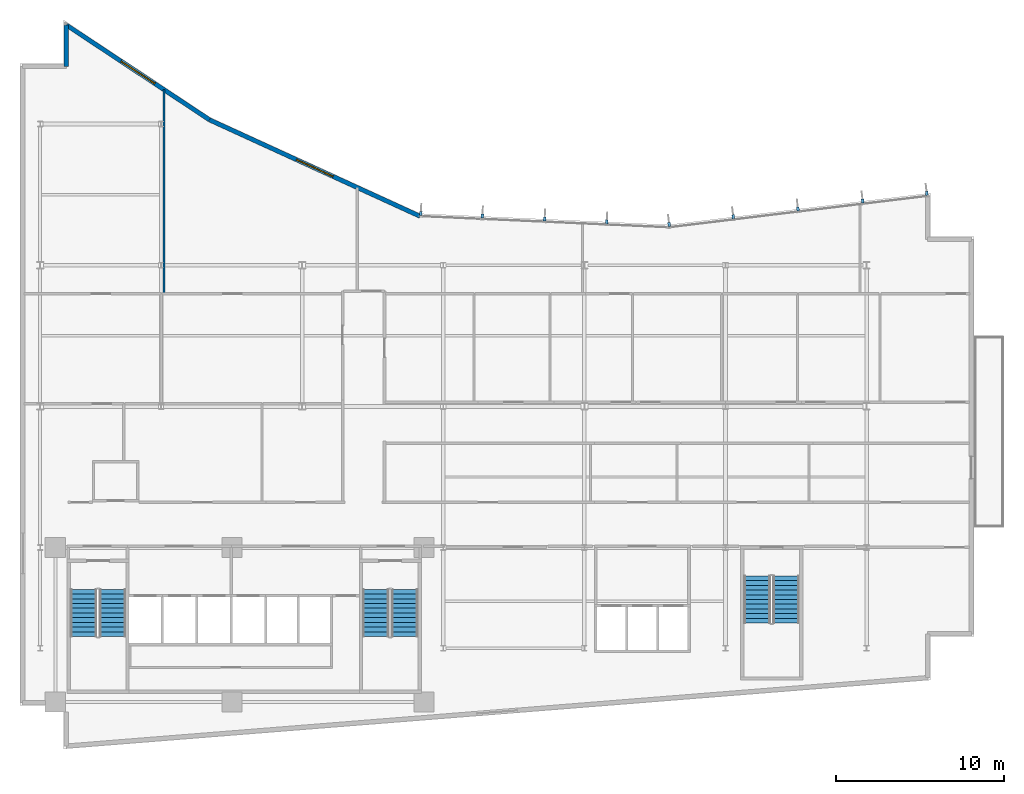
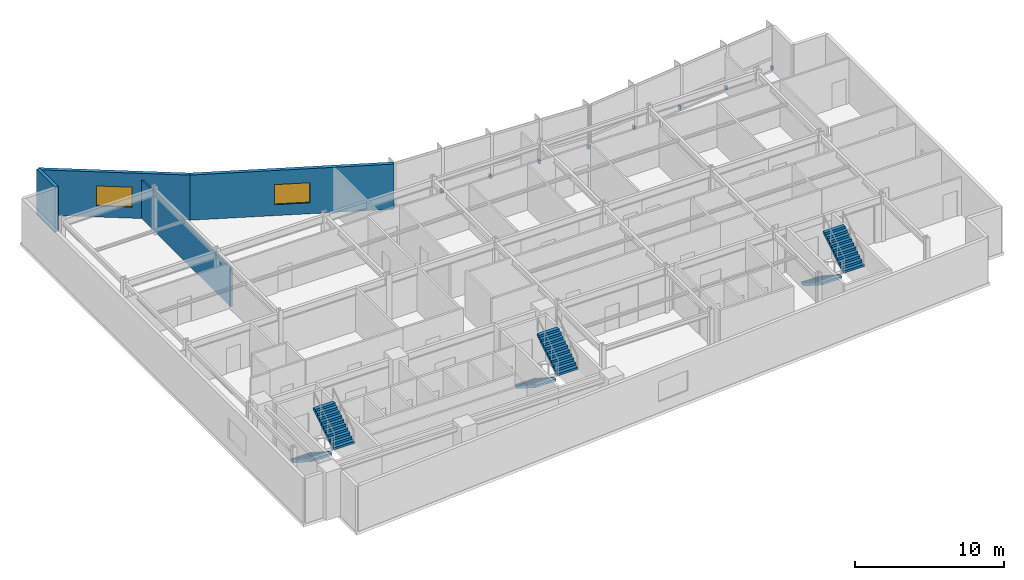
# One storey, part 12 of 17: 9 discrete accessories, 6 stair flights, 4 walls, 2 windows, 2 openings, 3 elements without a shape of their own.
"""IFC4 building model written with IfcOpenShell, lengths in metres."""

from ifc_helpers import new_model, si_unit, direction, frame, frame_2d, origin, origin_2d, place, context, subcontext, project, spatial, polyline, rectangle, outline, extrude, material, layer, layer_set, type_object, element, fill, aggregate, save


model = new_model("IFC4")

# Units and contexts
model_context = context("Model", 3, precision=1e-05, world=origin(), true_north=direction((0.0, 1.0)))
body_context = subcontext(model_context, "Body", "Model", "MODEL_VIEW")
ifc_project = project(units=[si_unit("LENGTHUNIT", "METRE"), si_unit("AREAUNIT", "SQUARE_METRE"), si_unit("VOLUMEUNIT", "CUBIC_METRE"), si_unit("PLANEANGLEUNIT", "RADIAN"), si_unit("MASSUNIT", "GRAM", prefix="KILO")], contexts=[model_context])

# Site, building, storey
site_placement = place(None, origin())
site = spatial("IfcSite", under=ifc_project, at=site_placement, CompositionType="ELEMENT")
building_placement = place(site_placement, origin())
building = spatial("IfcBuilding", under=site, at=building_placement, Name="Varnakote Quay Hospital", CompositionType="ELEMENT")
storey_placement = place(building_placement, frame((0.0, 0.0, 134.949951171875)))
storey = spatial("IfcBuildingStorey", under=building, at=storey_placement, Name="L33", CompositionType="ELEMENT", Elevation=134.949951171875)

# Wall, opening, window
ifc_material_1 = material(Name="Precast concrete N50 (f'c 50 MPa)", Category="concrete")
ifc_layer_1 = layer(ifc_material_1, 0.260009765625)
ifc_layer_set_1 = layer_set([ifc_layer_1], Name="Precast concrete N50 (f'c 50 MPa)")
wall_type_1 = type_object("IfcWallType", Name="WL-EXT-BRICK-260", PredefinedType="STANDARD", material=ifc_layer_set_1)
wall_1_placement = place(storey_placement, frame((23.817626953125, 31.715576171875, 0.0), z_axis=(0.0, 0.0, 1.0), x_axis=(-0.909209527513, 0.416338846471, 0.0)))
wall_1 = element("IfcWall", 1, at=wall_1_placement, inside=storey, type_object=wall_type_1, Name="L33 Brick-Faced Precast Exterior Wall", PredefinedType="STANDARD", context=body_context, shape_type="SweptSolid", body=[
    extrude(rectangle(XDim=13.787353515625, YDim=0.260009765625, at=frame_2d((6.8935546875, 0.0))), origin(), (0.0, 0.0, 1.0), 3.7099609375),
])
opening_1_placement = place(wall_1_placement, frame((5.693603515625, 0.0, 0.89990234375)))
opening_1 = element("IfcOpeningElement", 2, at=opening_1_placement, cuts=wall_1, Name="Opening WN-0143", PredefinedType="OPENING", context=body_context, shape_type="SweptSolid", body=[
    extrude(rectangle(XDim=2.39990234375, YDim=1.64990234375, at=frame_2d((1.199951171875, 0.824951171875))), frame((0.0, 0.139892578125, 0.0), z_axis=(0.0, -1.0, 0.0), x_axis=(1.0, 0.0, 0.0)), (0.0, 0.0, 1.0), 0.280029296875),
])
ifc_material_2 = material(Name="Double-glazed low-E solar glass", Category="glass")
window_type = type_object("IfcWindowType", Name="WIN-CLIN-2400x1650", PartitioningType="SINGLE_PANEL", PredefinedType="WINDOW", material=ifc_material_2)
window_1_placement = place(opening_1_placement, origin())
window_1 = element("IfcWindow", 3, at=window_1_placement, inside=storey, type_object=window_type, Name="L33 Solar-Control Clinical Window", OverallHeight=1.64990234375, OverallWidth=2.39990234375, PartitioningType="SINGLE_PANEL", PredefinedType="WINDOW", context=body_context, shape_type="SweptSolid", body=[
    extrude(rectangle(XDim=2.39990234375, YDim=1.64990234375, at=frame_2d((1.199951171875, 0.824951171875))), frame((0.0, 0.030029296875, 0.0), z_axis=(0.0, -1.0, 0.0), x_axis=(1.0, 0.0, 0.0)), (0.0, 0.0, 1.0), 0.06005859375),
])
fill(opening_1, window_1)

wall_2_placement = place(storey_placement, frame((11.281982421875, 37.455810546875, 0.0), z_axis=(0.0, 0.0, 1.0), x_axis=(-0.833630474253, 0.552322580017, 0.0)))
wall_2 = element("IfcWall", 4, at=wall_2_placement, inside=storey, type_object=wall_type_1, Name="L33 Brick-Faced Precast Exterior Wall", PredefinedType="STANDARD", context=body_context, shape_type="SweptSolid", body=[
    extrude(rectangle(XDim=10.22265625, YDim=0.260009765625, at=frame_2d((5.111328125, 0.0))), origin(), (0.0, 0.0, 1.0), 3.7099609375),
])
opening_2_placement = place(wall_2_placement, frame((3.911376953125, 0.0, 0.89990234375)))
opening_2 = element("IfcOpeningElement", 5, at=opening_2_placement, cuts=wall_2, Name="Opening WN-0144", PredefinedType="OPENING", context=body_context, shape_type="SweptSolid", body=[
    extrude(rectangle(XDim=2.39990234375, YDim=1.64990234375, at=frame_2d((1.199951171875, 0.824951171875))), frame((0.0, 0.139892578125, 0.0), z_axis=(0.0, -1.0, 0.0), x_axis=(1.0, 0.0, 0.0)), (0.0, 0.0, 1.0), 0.280029296875),
])
window_2_placement = place(opening_2_placement, origin())
window_2 = element("IfcWindow", 6, at=window_2_placement, inside=storey, type_object=window_type, Name="L33 Solar-Control Clinical Window", OverallHeight=1.64990234375, OverallWidth=2.39990234375, PartitioningType="SINGLE_PANEL", PredefinedType="WINDOW", context=body_context, shape_type="SweptSolid", body=[
    extrude(rectangle(XDim=2.39990234375, YDim=1.64990234375, at=frame_2d((1.199951171875, 0.824951171875))), frame((0.0, 0.030029296875, 0.0), z_axis=(0.0, -1.0, 0.0), x_axis=(1.0, 0.0, 0.0)), (0.0, 0.0, 1.0), 0.06005859375),
])
fill(opening_2, window_2)

# Walls
wall_3_placement = place(storey_placement, frame((2.760009765625, 43.10205078125, 0.0), z_axis=(0.0, 0.0, 1.0), x_axis=(0.0, -1.0, 0.0)))
element("IfcWall", 7, at=wall_3_placement, inside=storey, type_object=wall_type_1, Name="L33 Brick-Faced Precast Exterior Wall", PredefinedType="STANDARD", context=body_context, shape_type="SweptSolid", body=[
    extrude(rectangle(XDim=2.462158203125, YDim=0.260009765625, at=frame_2d((1.23095703125, 0.0))), origin(), (0.0, 0.0, 1.0), 3.7099609375),
])
ifc_material_3 = material(Name="Smoke-proof clinical partition", Category="gypsum")
ifc_layer_2 = layer(ifc_material_3, 0.135009765625)
ifc_layer_set_2 = layer_set([ifc_layer_2], Name="Smoke-proof clinical partition")
wall_type_2 = type_object("IfcWallType", Name="WL-SMOKE-135", PredefinedType="PARTITIONING", material=ifc_layer_set_2)
wall_4_placement = place(storey_placement, frame((8.570068359375, 27.157470703125, 0.0), z_axis=(0.0, 0.0, 1.0), x_axis=(0.0, 1.0, 0.0)))
element("IfcWall", 8, at=wall_4_placement, inside=storey, type_object=wall_type_2, Name="L33 Clinical Interior Partition", PredefinedType="PARTITIONING", context=body_context, shape_type="SweptSolid", body=[
    extrude(rectangle(XDim=12.09521484375, YDim=0.135009765625, at=frame_2d((6.047607421875, 0.0))), origin(), (0.0, 0.0, 1.0), 3.152099609375),
])

# Stair, stair flights
ifc_material_4 = material(Name="Concrete N40 (f'c 40 MPa)", Category="concrete")
stair_type = type_object("IfcStairType", Name="STR-CORE-1580", PredefinedType="HALF_TURN_STAIR", material=ifc_material_4)
stair_1_placement = place(storey_placement, origin())
stair_1 = element("IfcStair", 9, at=stair_1_placement, inside=storey, type_object=stair_type, Name="L33 Fire-Isolated Exit Stair ST-01", PredefinedType="HALF_TURN_STAIR")
ifc_material_5 = material(Name="Concrete N40 (f'c 40 MPa)", Category="concrete")
ifc_layer_3 = layer(ifc_material_5, 0.159912109375)
ifc_layer_set_3 = layer_set([ifc_layer_3], Name="Concrete N40 (f'c 40 MPa)")
stair_flight_type = type_object("IfcStairFlightType", Name="FLT-CORE-1580", PredefinedType="STRAIGHT", material=ifc_layer_set_3)
stair_flight_1_placement = place(storey_placement, frame((3.7900390625, 9.5, 0.0), z_axis=(0.0, 0.0, 1.0), x_axis=(0.0, -1.0, 0.0)))
stair_flight_1 = element("IfcStairFlight", 10, at=stair_flight_1_placement, type_object=stair_flight_type, Name="ST-01 flight 1", NumberOfRisers=11, NumberOfTreads=10, PredefinedType="STRAIGHT", RiserHeight=0.179545455, TreadLength=0.28, context=body_context, shape_type="SweptSolid", body=[
    extrude(outline(polyline([(0.0, 0.0), (0.0, 0.179443359375), (0.280029296875, 0.179443359375), (0.280029296875, 0.359130859375), (0.56005859375, 0.359130859375), (0.56005859375, 0.53857421875), (0.840087890625, 0.53857421875), (0.840087890625, 0.71826171875), (1.1201171875, 0.71826171875), (1.1201171875, 0.897705078125), (1.39990234375, 0.897705078125), (1.39990234375, 1.077392578125), (1.679931640625, 1.077392578125), (1.679931640625, 1.2568359375), (1.9599609375, 1.2568359375), (1.9599609375, 1.436279296875), (2.239990234375, 1.436279296875), (2.239990234375, 1.615966796875), (2.52001953125, 1.615966796875), (2.52001953125, 1.79541015625), (2.800048828125, 1.79541015625), (2.800048828125, 1.97509765625), (2.800048828125, 1.60546875), (0.296142578125, 0.0), (0.0, 0.0)])), frame((0.0, 0.7900390625, 0.0), z_axis=(0.0, -1.0, 0.0), x_axis=(1.0, 0.0, 0.0)), (0.0, 0.0, 1.0), 1.580078125),
])
stair_flight_2_placement = place(storey_placement, frame((5.510009765625, 6.699951171875, 1.97509765625), z_axis=(0.0, 0.0, 1.0), x_axis=(0.0, 1.0, 0.0)))
stair_flight_2 = element("IfcStairFlight", 11, at=stair_flight_2_placement, type_object=stair_flight_type, Name="ST-01 flight 2", NumberOfRisers=11, NumberOfTreads=10, PredefinedType="STRAIGHT", RiserHeight=0.179545455, TreadLength=0.28, context=body_context, shape_type="SweptSolid", body=[
    extrude(outline(polyline([(0.0, 0.0), (0.0, 0.179443359375), (0.280029296875, 0.179443359375), (0.280029296875, 0.359130859375), (0.56005859375, 0.359130859375), (0.56005859375, 0.53857421875), (0.840087890625, 0.53857421875), (0.840087890625, 0.71826171875), (1.1201171875, 0.71826171875), (1.1201171875, 0.897705078125), (1.39990234375, 0.897705078125), (1.39990234375, 1.077392578125), (1.679931640625, 1.077392578125), (1.679931640625, 1.2568359375), (1.9599609375, 1.2568359375), (1.9599609375, 1.436279296875), (2.239990234375, 1.436279296875), (2.239990234375, 1.615966796875), (2.52001953125, 1.615966796875), (2.52001953125, 1.79541015625), (2.800048828125, 1.79541015625), (2.800048828125, 1.97509765625), (2.800048828125, 1.60546875), (0.296142578125, 0.0), (0.0, 0.0)])), frame((0.0, 0.7900390625, 0.0), z_axis=(0.0, -1.0, 0.0), x_axis=(1.0, 0.0, 0.0)), (0.0, 0.0, 1.0), 1.580078125),
])
aggregate(stair_1, [stair_flight_1, stair_flight_2])

stair_2_placement = place(storey_placement, origin())
stair_2 = element("IfcStair", 12, at=stair_2_placement, inside=storey, type_object=stair_type, Name="L33 Fire-Isolated Exit Stair ST-02", PredefinedType="HALF_TURN_STAIR")
stair_flight_3_placement = place(storey_placement, frame((21.18994140625, 9.5, 0.0), z_axis=(0.0, 0.0, 1.0), x_axis=(0.0, -1.0, 0.0)))
stair_flight_3 = element("IfcStairFlight", 13, at=stair_flight_3_placement, type_object=stair_flight_type, Name="ST-02 flight 1", NumberOfRisers=11, NumberOfTreads=10, PredefinedType="STRAIGHT", RiserHeight=0.179545455, TreadLength=0.28, context=body_context, shape_type="SweptSolid", body=[
    extrude(outline(polyline([(0.0, 0.0), (0.0, 0.179443359375), (0.280029296875, 0.179443359375), (0.280029296875, 0.359130859375), (0.56005859375, 0.359130859375), (0.56005859375, 0.53857421875), (0.840087890625, 0.53857421875), (0.840087890625, 0.71826171875), (1.1201171875, 0.71826171875), (1.1201171875, 0.897705078125), (1.39990234375, 0.897705078125), (1.39990234375, 1.077392578125), (1.679931640625, 1.077392578125), (1.679931640625, 1.2568359375), (1.9599609375, 1.2568359375), (1.9599609375, 1.436279296875), (2.239990234375, 1.436279296875), (2.239990234375, 1.615966796875), (2.52001953125, 1.615966796875), (2.52001953125, 1.79541015625), (2.800048828125, 1.79541015625), (2.800048828125, 1.97509765625), (2.800048828125, 1.60546875), (0.296142578125, 0.0), (0.0, 0.0)])), frame((0.0, 0.7900390625, 0.0), z_axis=(0.0, -1.0, 0.0), x_axis=(1.0, 0.0, 0.0)), (0.0, 0.0, 1.0), 1.580078125),
])
stair_flight_4_placement = place(storey_placement, frame((22.909912109375, 6.699951171875, 1.97509765625), z_axis=(0.0, 0.0, 1.0), x_axis=(0.0, 1.0, 0.0)))
stair_flight_4 = element("IfcStairFlight", 14, at=stair_flight_4_placement, type_object=stair_flight_type, Name="ST-02 flight 2", NumberOfRisers=11, NumberOfTreads=10, PredefinedType="STRAIGHT", RiserHeight=0.179545455, TreadLength=0.28, context=body_context, shape_type="SweptSolid", body=[
    extrude(outline(polyline([(0.0, 0.0), (0.0, 0.179443359375), (0.280029296875, 0.179443359375), (0.280029296875, 0.359130859375), (0.56005859375, 0.359130859375), (0.56005859375, 0.53857421875), (0.840087890625, 0.53857421875), (0.840087890625, 0.71826171875), (1.1201171875, 0.71826171875), (1.1201171875, 0.897705078125), (1.39990234375, 0.897705078125), (1.39990234375, 1.077392578125), (1.679931640625, 1.077392578125), (1.679931640625, 1.2568359375), (1.9599609375, 1.2568359375), (1.9599609375, 1.436279296875), (2.239990234375, 1.436279296875), (2.239990234375, 1.615966796875), (2.52001953125, 1.615966796875), (2.52001953125, 1.79541015625), (2.800048828125, 1.79541015625), (2.800048828125, 1.97509765625), (2.800048828125, 1.60546875), (0.296142578125, 0.0), (0.0, 0.0)])), frame((0.0, 0.7900390625, 0.0), z_axis=(0.0, -1.0, 0.0), x_axis=(1.0, 0.0, 0.0)), (0.0, 0.0, 1.0), 1.580078125),
])
aggregate(stair_2, [stair_flight_3, stair_flight_4])

stair_3_placement = place(storey_placement, origin())
stair_3 = element("IfcStair", 15, at=stair_3_placement, inside=storey, type_object=stair_type, Name="L33 Fire-Isolated Exit Stair ST-03", PredefinedType="HALF_TURN_STAIR")
stair_flight_5_placement = place(storey_placement, frame((43.889892578125, 10.300048828125, 0.0), z_axis=(0.0, 0.0, 1.0), x_axis=(0.0, -1.0, 0.0)))
stair_flight_5 = element("IfcStairFlight", 16, at=stair_flight_5_placement, type_object=stair_flight_type, Name="ST-03 flight 1", NumberOfRisers=11, NumberOfTreads=10, PredefinedType="STRAIGHT", RiserHeight=0.179545455, TreadLength=0.28, context=body_context, shape_type="SweptSolid", body=[
    extrude(outline(polyline([(0.0, 0.0), (0.0, 0.179443359375), (0.280029296875, 0.179443359375), (0.280029296875, 0.359130859375), (0.56005859375, 0.359130859375), (0.56005859375, 0.53857421875), (0.840087890625, 0.53857421875), (0.840087890625, 0.71826171875), (1.1201171875, 0.71826171875), (1.1201171875, 0.897705078125), (1.39990234375, 0.897705078125), (1.39990234375, 1.077392578125), (1.679931640625, 1.077392578125), (1.679931640625, 1.2568359375), (1.9599609375, 1.2568359375), (1.9599609375, 1.436279296875), (2.239990234375, 1.436279296875), (2.239990234375, 1.615966796875), (2.52001953125, 1.615966796875), (2.52001953125, 1.79541015625), (2.800048828125, 1.79541015625), (2.800048828125, 1.97509765625), (2.800048828125, 1.60546875), (0.296142578125, 0.0), (0.0, 0.0)])), frame((0.0, 0.7900390625, 0.0), z_axis=(0.0, -1.0, 0.0), x_axis=(1.0, 0.0, 0.0)), (0.0, 0.0, 1.0), 1.580078125),
])
stair_flight_6_placement = place(storey_placement, frame((45.610107421875, 7.5, 1.97509765625), z_axis=(0.0, 0.0, 1.0), x_axis=(0.0, 1.0, 0.0)))
stair_flight_6 = element("IfcStairFlight", 17, at=stair_flight_6_placement, type_object=stair_flight_type, Name="ST-03 flight 2", NumberOfRisers=11, NumberOfTreads=10, PredefinedType="STRAIGHT", RiserHeight=0.179545455, TreadLength=0.28, context=body_context, shape_type="SweptSolid", body=[
    extrude(outline(polyline([(0.0, 0.0), (0.0, 0.179443359375), (0.280029296875, 0.179443359375), (0.280029296875, 0.359130859375), (0.56005859375, 0.359130859375), (0.56005859375, 0.53857421875), (0.840087890625, 0.53857421875), (0.840087890625, 0.71826171875), (1.1201171875, 0.71826171875), (1.1201171875, 0.897705078125), (1.39990234375, 0.897705078125), (1.39990234375, 1.077392578125), (1.679931640625, 1.077392578125), (1.679931640625, 1.2568359375), (1.9599609375, 1.2568359375), (1.9599609375, 1.436279296875), (2.239990234375, 1.436279296875), (2.239990234375, 1.615966796875), (2.52001953125, 1.615966796875), (2.52001953125, 1.79541015625), (2.800048828125, 1.79541015625), (2.800048828125, 1.97509765625), (2.800048828125, 1.60546875), (0.296142578125, 0.0), (0.0, 0.0)])), frame((0.0, 0.7900390625, 0.0), z_axis=(0.0, -1.0, 0.0), x_axis=(1.0, 0.0, 0.0)), (0.0, 0.0, 1.0), 1.580078125),
])
aggregate(stair_3, [stair_flight_5, stair_flight_6])

# Discrete accessories
ifc_material_6 = material(Name="Anodised aluminium 6063-T6 Bronze", Category="aluminium")
discrete_accessory_type = type_object("IfcDiscreteAccessoryType", Name="ACC-FIN-BRACKET-180", PredefinedType="BRACKET", material=ifc_material_6)
for number, where, z_axis, x_axis, name in (
    (18, (53.982421875, 33.083740234375, 0.0), (0.0, 0.0, 1.0), (-0.992736358975, -0.120310105847, 0.0), "L33 Curtain Wall Fin Fixing Bracket"),
    (19, (50.1669921875, 32.62109375, 0.0), (0.0, 0.0, 1.0), (-0.992736358975, -0.120310105847, 0.0), "L33 Curtain Wall Fin Fixing Bracket"),
    (20, (46.314697265625, 32.154296875, 0.0), (0.0, 0.0, 1.0), (-0.992736358975, -0.120310105847, 0.0), "L33 Curtain Wall Fin Fixing Bracket"),
    (21, (42.462158203125, 31.687255859375, 0.0), (0.0, 0.0, 1.0), (-0.992736358975, -0.120310105847, 0.0), "L33 Curtain Wall Fin Fixing Bracket"),
    (22, (38.64697265625, 31.224853515625, 0.0), (0.0, 0.0, 1.0), (-0.992736358975, -0.120310105847, 0.0), "L33 Curtain Wall Fin Fixing Bracket"),
    (23, (34.9345703125, 31.387451171875, 0.0), (0.0, 0.0, 1.0), (-0.998994184858, 0.044839922168, 0.0), "L33 Curtain Wall Fin Fixing Bracket"),
    (24, (31.2314453125, 31.553466796875, 0.0), (0.0, 0.0, 1.0), (-0.998994184858, 0.044839922168, 0.0), "L33 Curtain Wall Fin Fixing Bracket"),
    (25, (27.5283203125, 31.719482421875, 0.0), (0.0, 0.0, 1.0), (-0.998994184858, 0.044839922168, 0.0), "L33 Curtain Wall Fin Fixing Bracket"),
    (26, (23.86279296875, 31.8837890625, 0.0), (0.0, 0.0, 1.0), (-0.998994184858, 0.044839922168, 0.0), "L33 Curtain Wall Fin Fixing Bracket"),
):
    element("IfcDiscreteAccessory", number, at=place(storey_placement, frame(where, z_axis=z_axis, x_axis=x_axis)), inside=storey, type_object=discrete_accessory_type, Name=name, PredefinedType="BRACKET", context=body_context, shape_type="SweptSolid", body=[
        extrude(rectangle(XDim=0.159912109375, YDim=0.239990234375, at=origin_2d()), origin(), (0.0, 0.0, 1.0), 0.280029296875),
    ])

save(model, "model.ifc")
